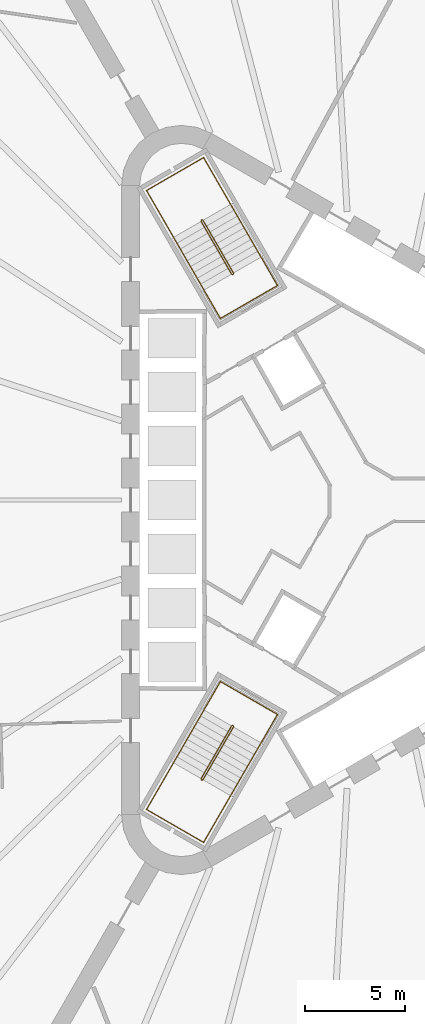
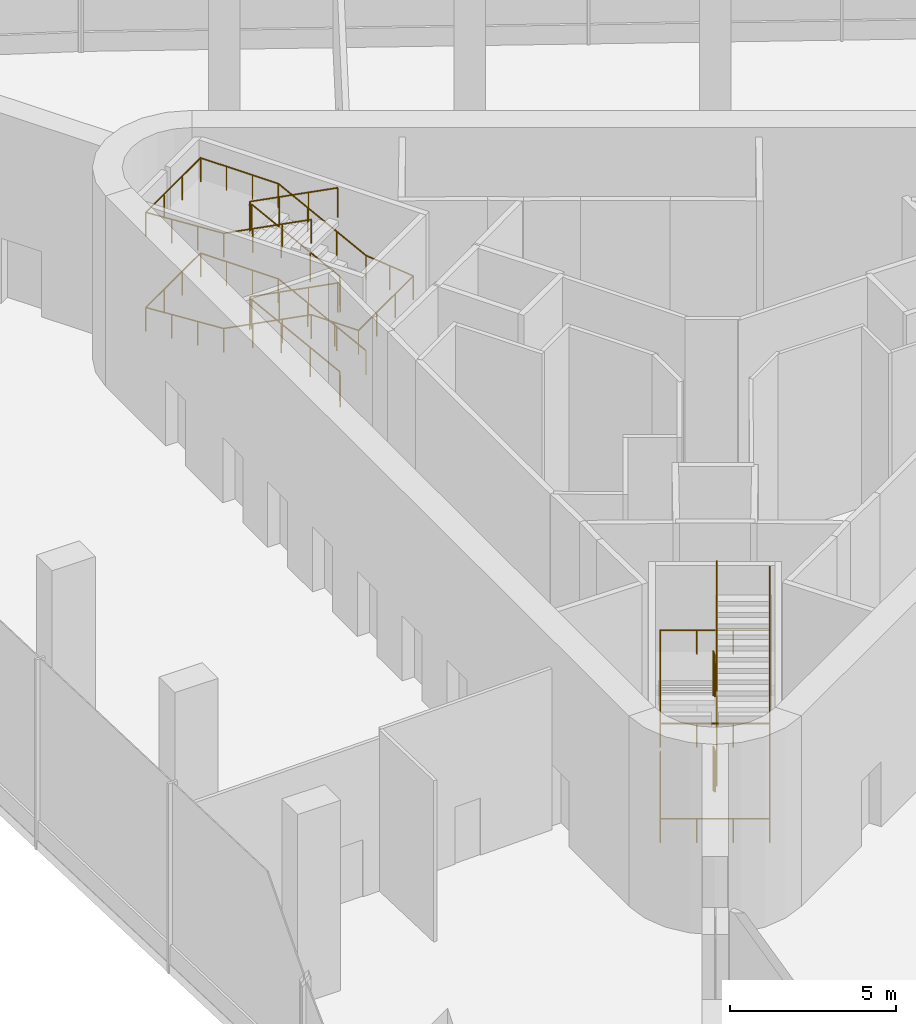
# One storey, part 13 of 15: 4 railings.
"""IFC4 building model written with IfcOpenShell, lengths in metres."""

from ifc_helpers import new_model, si_unit, direction, frame, origin, origin_2d, place, context, subcontext, project, spatial, circle, extrude, material, type_object, element, save


model = new_model("IFC4")

# Units and contexts
model_context = context("Model", 3, precision=1e-05, world=origin(), true_north=direction((0.0, 1.0)))
body_context = subcontext(model_context, "Body", "Model", "MODEL_VIEW")
ifc_project = project(units=[si_unit("LENGTHUNIT", "METRE"), si_unit("AREAUNIT", "SQUARE_METRE"), si_unit("VOLUMEUNIT", "CUBIC_METRE"), si_unit("PLANEANGLEUNIT", "RADIAN"), si_unit("MASSUNIT", "GRAM", prefix="KILO")], contexts=[model_context])

# Site, building, storey
site_placement = place(None, origin())
site = spatial("IfcSite", under=ifc_project, at=site_placement, CompositionType="ELEMENT")
building_placement = place(site_placement, origin())
building = spatial("IfcBuilding", under=site, at=building_placement, Name="Tanit Gate Tower", CompositionType="ELEMENT")
storey_placement = place(building_placement, frame((0.0, 0.0, 156.199951171875)))
storey = spatial("IfcBuildingStorey", under=building, at=storey_placement, Name="L34", CompositionType="ELEMENT", Elevation=156.199951171875)

# Railings
ifc_material_1 = material(Name="Stainless steel balustrade", Category="steel")
railing_type_1 = type_object("IfcRailingType", Name="INT-STAIR-GUARD", PredefinedType="GUARDRAIL", material=ifc_material_1)
railing_1_placement = place(storey_placement, frame((-6.527099609375, 11.29345703125, 0.0)))
element("IfcRailing", 1, at=railing_1_placement, inside=storey, type_object=railing_type_1, Name="L34 S2 stair guard 1", PredefinedType="GUARDRAIL", context=body_context, shape_type="SweptSolid", body=[
    extrude(circle(Radius=0.02392578125, at=origin_2d()), frame((0.0, 0.0, 1.076171875), z_axis=(0.868243142124, 0.496138938357, 0.0), x_axis=(-0.496138938357, 0.868243142124, 0.0)), (0.0, 0.0, 1.0), 0.01171875),
    extrude(circle(Radius=0.02392578125, at=origin_2d()), frame((0.01025390625, 0.005859375, 1.076171875), z_axis=(0.096977119323, 0.362047912139, 0.927101260728), x_axis=(-0.965948051503, 0.258736085224, 0.0)), (0.0, 0.0, 1.0), 0.188720703125),
    extrude(circle(Radius=0.02392578125, at=origin_2d()), frame((0.028564453125, 0.07421875, 1.2509765625), z_axis=(-0.444260359565, 0.769434755653, 0.458914904652), x_axis=(-0.866012246495, -0.500022788402, 0.0)), (0.0, 0.0, 1.0), 3.431884765625),
    extrude(circle(Radius=0.02392578125, at=origin_2d()), frame((-1.49609375, 2.71484375, 2.826171875), z_axis=(-0.965715946433, 0.259601060869, 0.0), x_axis=(-0.259601060869, -0.965715946433, 0.0)), (0.0, 0.0, 1.0), 0.070556640625),
    extrude(circle(Radius=0.02392578125, at=origin_2d()), frame((-1.564208984375, 2.733154296875, 2.826171875), z_axis=(-0.873197702015, -0.487366159264, 0.0), x_axis=(0.487366159264, -0.873197702015, 0.0)), (0.0, 0.0, 1.0), 0.011962890625),
    extrude(circle(Radius=0.02392578125, at=origin_2d()), frame((-1.57470703125, 2.727294921875, 2.826171875), z_axis=(-0.096977119323, -0.362047912139, 0.927101260728), x_axis=(0.965948051503, -0.258736085224, 0.0)), (0.0, 0.0, 1.0), 0.188720703125),
    extrude(circle(Radius=0.02392578125, at=origin_2d()), frame((-1.593017578125, 2.658935546875, 3.0009765625), z_axis=(0.444260359565, -0.769434755653, 0.458914904652), x_axis=(0.866012246495, 0.500022788402, 0.0)), (0.0, 0.0, 1.0), 3.431884765625),
    extrude(circle(Radius=0.02392578125, at=origin_2d()), frame((-0.068359375, 0.018310546875, 4.576171875), z_axis=(0.965948051503, -0.258736085224, 0.0), x_axis=(0.258736085224, 0.965948051503, 0.0)), (0.0, 0.0, 1.0), 0.07080078125),
    extrude(circle(Radius=0.02392578125, at=origin_2d()), frame((0.0, 0.0, 4.576171875), z_axis=(0.868243142124, 0.496138938357, 0.0), x_axis=(-0.496138938357, 0.868243142124, 0.0)), (0.0, 0.0, 1.0), 0.01171875),
    extrude(circle(Radius=0.02392578125, at=origin_2d()), frame((0.01025390625, 0.005859375, 4.576171875), z_axis=(0.096977119323, 0.362047912139, 0.927101260728), x_axis=(-0.965948051503, 0.258736085224, 0.0)), (0.0, 0.0, 1.0), 0.188720703125),
    extrude(circle(Radius=0.02392578125, at=origin_2d()), frame((0.028564453125, 0.07421875, 4.7509765625), z_axis=(-0.444260359565, 0.769434755653, 0.458914904652), x_axis=(-0.866012246495, -0.500022788402, 0.0)), (0.0, 0.0, 1.0), 3.431884765625),
    extrude(circle(Radius=0.02392578125, at=origin_2d()), frame((-1.49609375, 2.71484375, 6.326171875), z_axis=(-0.965715946433, 0.259601060869, 0.0), x_axis=(-0.259601060869, -0.965715946433, 0.0)), (0.0, 0.0, 1.0), 0.070556640625),
    extrude(circle(Radius=0.02392578125, at=origin_2d()), frame((-1.564208984375, 2.733154296875, 6.326171875), z_axis=(-0.873197702015, -0.487366159264, 0.0), x_axis=(0.487366159264, -0.873197702015, 0.0)), (0.0, 0.0, 1.0), 0.011962890625),
    extrude(circle(Radius=0.02392578125, at=origin_2d()), frame((-1.57470703125, 2.727294921875, 6.326171875), z_axis=(-0.096977119323, -0.362047912139, 0.927101260728), x_axis=(0.965948051503, -0.258736085224, 0.0)), (0.0, 0.0, 1.0), 0.188720703125),
    extrude(circle(Radius=0.02392578125, at=origin_2d()), frame((-1.593017578125, 2.658935546875, 6.5009765625), z_axis=(0.444260359565, -0.769434755653, 0.458914904652), x_axis=(0.866012246495, 0.500022788402, 0.0)), (0.0, 0.0, 1.0), 3.431884765625),
    extrude(circle(Radius=0.02099609375, at=origin_2d()), origin(), (0.0, 0.0, 1.0), 1.052001953125),
    extrude(circle(Radius=0.02099609375, at=origin_2d()), frame((0.01025390625, 0.005859375, 0.0)), (0.0, 0.0, 1.0), 1.052001953125),
    extrude(circle(Radius=0.02099609375, at=origin_2d()), frame((0.028564453125, 0.07421875, 0.175048828125)), (0.0, 0.0, 1.0), 1.052001953125),
    extrude(circle(Radius=0.02099609375, at=origin_2d()), frame((-0.479736328125, 0.954345703125, 0.699951171875)), (0.0, 0.0, 1.0), 1.052001953125),
    extrude(circle(Radius=0.02099609375, at=origin_2d()), frame((-0.98779296875, 1.834716796875, 1.22509765625)), (0.0, 0.0, 1.0), 1.052001953125),
    extrude(circle(Radius=0.02099609375, at=origin_2d()), frame((-1.49609375, 2.71484375, 1.75)), (0.0, 0.0, 1.0), 1.052001953125),
    extrude(circle(Radius=0.02099609375, at=origin_2d()), frame((-1.564208984375, 2.733154296875, 1.75)), (0.0, 0.0, 1.0), 1.052001953125),
    extrude(circle(Radius=0.02099609375, at=origin_2d()), frame((-1.57470703125, 2.727294921875, 1.75)), (0.0, 0.0, 1.0), 1.052001953125),
    extrude(circle(Radius=0.02099609375, at=origin_2d()), frame((-1.593017578125, 2.658935546875, 1.925048828125)), (0.0, 0.0, 1.0), 1.052001953125),
    extrude(circle(Radius=0.02099609375, at=origin_2d()), frame((-1.084716796875, 1.77880859375, 2.449951171875)), (0.0, 0.0, 1.0), 1.052001953125),
    extrude(circle(Radius=0.02099609375, at=origin_2d()), frame((-0.57666015625, 0.8984375, 2.97509765625)), (0.0, 0.0, 1.0), 1.052001953125),
    extrude(circle(Radius=0.02099609375, at=origin_2d()), frame((-0.068359375, 0.018310546875, 3.5)), (0.0, 0.0, 1.0), 1.052001953125),
    extrude(circle(Radius=0.02099609375, at=origin_2d()), frame((0.0, 0.0, 3.5)), (0.0, 0.0, 1.0), 1.052001953125),
    extrude(circle(Radius=0.02099609375, at=origin_2d()), frame((0.01025390625, 0.005859375, 3.5)), (0.0, 0.0, 1.0), 1.052001953125),
    extrude(circle(Radius=0.02099609375, at=origin_2d()), frame((0.028564453125, 0.07421875, 3.675048828125)), (0.0, 0.0, 1.0), 1.052001953125),
    extrude(circle(Radius=0.02099609375, at=origin_2d()), frame((-0.479736328125, 0.954345703125, 4.199951171875)), (0.0, 0.0, 1.0), 1.052001953125),
    extrude(circle(Radius=0.02099609375, at=origin_2d()), frame((-0.98779296875, 1.834716796875, 4.72509765625)), (0.0, 0.0, 1.0), 1.052001953125),
    extrude(circle(Radius=0.02099609375, at=origin_2d()), frame((-1.49609375, 2.71484375, 5.25)), (0.0, 0.0, 1.0), 1.052001953125),
    extrude(circle(Radius=0.02099609375, at=origin_2d()), frame((-1.564208984375, 2.733154296875, 5.25)), (0.0, 0.0, 1.0), 1.052001953125),
    extrude(circle(Radius=0.02099609375, at=origin_2d()), frame((-1.57470703125, 2.727294921875, 5.25)), (0.0, 0.0, 1.0), 1.052001953125),
    extrude(circle(Radius=0.02099609375, at=origin_2d()), frame((-1.593017578125, 2.658935546875, 5.425048828125)), (0.0, 0.0, 1.0), 1.052001953125),
    extrude(circle(Radius=0.02099609375, at=origin_2d()), frame((-1.084716796875, 1.77880859375, 5.949951171875)), (0.0, 0.0, 1.0), 1.052001953125),
    extrude(circle(Radius=0.02099609375, at=origin_2d()), frame((-0.57666015625, 0.8984375, 6.47509765625)), (0.0, 0.0, 1.0), 1.052001953125),
    extrude(circle(Radius=0.02099609375, at=origin_2d()), frame((-0.068359375, 0.018310546875, 7.0)), (0.0, 0.0, 1.0), 1.052001953125),
])
railing_2_placement = place(storey_placement, frame((-6.51806640625, -11.2998046875, 0.0)))
element("IfcRailing", 2, at=railing_2_placement, inside=storey, type_object=railing_type_1, Name="L34 S3 stair guard 1", PredefinedType="GUARDRAIL", context=body_context, shape_type="SweptSolid", body=[
    extrude(circle(Radius=0.02392578125, at=origin_2d()), frame((0.0, 0.0, 1.076171875), z_axis=(-0.874157276122, 0.485642931179, 0.0), x_axis=(-0.485642931179, -0.874157276122, 0.0)), (0.0, 0.0, 1.0), 0.010009765625),
    extrude(circle(Radius=0.02392578125, at=origin_2d()), frame((-0.0087890625, 0.0048828125, 1.076171875), z_axis=(-0.362093016601, -0.09569601153, 0.927216760367), x_axis=(0.255512919477, -0.966805641264, 0.0)), (0.0, 0.0, 1.0), 0.188720703125),
    extrude(circle(Radius=0.02392578125, at=origin_2d()), frame((-0.0771484375, -0.01318359375, 1.2509765625), z_axis=(-0.444261418283, -0.769564873572, 0.458695648103), x_axis=(0.866048339477, -0.499960272111, 0.0)), (0.0, 0.0, 1.0), 3.43359375),
    extrude(circle(Radius=0.02392578125, at=origin_2d()), frame((-1.6025390625, -2.655517578125, 2.826171875), z_axis=(0.258736085224, -0.965948051503, 0.0), x_axis=(0.965948051503, 0.258736085224, 0.0)), (0.0, 0.0, 1.0), 0.07080078125),
    extrude(circle(Radius=0.02392578125, at=origin_2d()), frame((-1.584228515625, -2.723876953125, 2.826171875), z_axis=(0.868243142124, -0.496138938357, 0.0), x_axis=(0.496138938357, 0.868243142124, 0.0)), (0.0, 0.0, 1.0), 0.009765625),
    extrude(circle(Radius=0.02392578125, at=origin_2d()), frame((-1.57568359375, -2.728759765625, 2.826171875), z_axis=(0.362047912139, 0.096977119323, 0.927101260728), x_axis=(-0.258736085224, 0.965948051503, 0.0)), (0.0, 0.0, 1.0), 0.188720703125),
    extrude(circle(Radius=0.02392578125, at=origin_2d()), frame((-1.50732421875, -2.71044921875, 3.0009765625), z_axis=(0.444342798636, 0.769511564545, 0.458706256041), x_axis=(-0.865993683553, 0.500054937028, 0.0)), (0.0, 0.0, 1.0), 3.433349609375),
    extrude(circle(Radius=0.02392578125, at=origin_2d()), frame((0.018310546875, -0.068359375, 4.576171875), z_axis=(-0.258736085224, 0.965948051503, 0.0), x_axis=(-0.965948051503, -0.258736085224, 0.0)), (0.0, 0.0, 1.0), 0.07080078125),
    extrude(circle(Radius=0.02392578125, at=origin_2d()), frame((0.0, 0.0, 4.576171875), z_axis=(-0.874157276122, 0.485642931179, 0.0), x_axis=(-0.485642931179, -0.874157276122, 0.0)), (0.0, 0.0, 1.0), 0.010009765625),
    extrude(circle(Radius=0.02392578125, at=origin_2d()), frame((-0.0087890625, 0.0048828125, 4.576171875), z_axis=(-0.362093016601, -0.09569601153, 0.927216760367), x_axis=(0.255512919477, -0.966805641264, 0.0)), (0.0, 0.0, 1.0), 0.188720703125),
    extrude(circle(Radius=0.02392578125, at=origin_2d()), frame((-0.0771484375, -0.01318359375, 4.7509765625), z_axis=(-0.444261418283, -0.769564873572, 0.458695648103), x_axis=(0.866048339477, -0.499960272111, 0.0)), (0.0, 0.0, 1.0), 3.43359375),
    extrude(circle(Radius=0.02392578125, at=origin_2d()), frame((-1.6025390625, -2.655517578125, 6.326171875), z_axis=(0.258736085224, -0.965948051503, 0.0), x_axis=(0.965948051503, 0.258736085224, 0.0)), (0.0, 0.0, 1.0), 0.07080078125),
    extrude(circle(Radius=0.02392578125, at=origin_2d()), frame((-1.584228515625, -2.723876953125, 6.326171875), z_axis=(0.868243142124, -0.496138938357, 0.0), x_axis=(0.496138938357, 0.868243142124, 0.0)), (0.0, 0.0, 1.0), 0.009765625),
    extrude(circle(Radius=0.02392578125, at=origin_2d()), frame((-1.57568359375, -2.728759765625, 6.326171875), z_axis=(0.362047912139, 0.096977119323, 0.927101260728), x_axis=(-0.258736085224, 0.965948051503, 0.0)), (0.0, 0.0, 1.0), 0.188720703125),
    extrude(circle(Radius=0.02392578125, at=origin_2d()), frame((-1.50732421875, -2.71044921875, 6.5009765625), z_axis=(0.444342798636, 0.769511564545, 0.458706256041), x_axis=(-0.865993683553, 0.500054937028, 0.0)), (0.0, 0.0, 1.0), 3.433349609375),
    extrude(circle(Radius=0.02099609375, at=origin_2d()), origin(), (0.0, 0.0, 1.0), 1.052001953125),
    extrude(circle(Radius=0.02099609375, at=origin_2d()), frame((-0.0087890625, 0.0048828125, 0.0)), (0.0, 0.0, 1.0), 1.052001953125),
    extrude(circle(Radius=0.02099609375, at=origin_2d()), frame((-0.0771484375, -0.01318359375, 0.175048828125)), (0.0, 0.0, 1.0), 1.052001953125),
    extrude(circle(Radius=0.02099609375, at=origin_2d()), frame((-0.585693359375, -0.89404296875, 0.699951171875)), (0.0, 0.0, 1.0), 1.052001953125),
    extrude(circle(Radius=0.02099609375, at=origin_2d()), frame((-1.093994140625, -1.774658203125, 1.22509765625)), (0.0, 0.0, 1.0), 1.052001953125),
    extrude(circle(Radius=0.02099609375, at=origin_2d()), frame((-1.6025390625, -2.655517578125, 1.75)), (0.0, 0.0, 1.0), 1.052001953125),
    extrude(circle(Radius=0.02099609375, at=origin_2d()), frame((-1.584228515625, -2.723876953125, 1.75)), (0.0, 0.0, 1.0), 1.052001953125),
    extrude(circle(Radius=0.02099609375, at=origin_2d()), frame((-1.57568359375, -2.728759765625, 1.75)), (0.0, 0.0, 1.0), 1.052001953125),
    extrude(circle(Radius=0.02099609375, at=origin_2d()), frame((-1.50732421875, -2.71044921875, 1.925048828125)), (0.0, 0.0, 1.0), 1.052001953125),
    extrude(circle(Radius=0.02099609375, at=origin_2d()), frame((-0.998779296875, -1.829833984375, 2.449951171875)), (0.0, 0.0, 1.0), 1.052001953125),
    extrude(circle(Radius=0.02099609375, at=origin_2d()), frame((-0.490234375, -0.948974609375, 2.97509765625)), (0.0, 0.0, 1.0), 1.052001953125),
    extrude(circle(Radius=0.02099609375, at=origin_2d()), frame((0.018310546875, -0.068359375, 3.5)), (0.0, 0.0, 1.0), 1.052001953125),
    extrude(circle(Radius=0.02099609375, at=origin_2d()), frame((0.0, 0.0, 3.5)), (0.0, 0.0, 1.0), 1.052001953125),
    extrude(circle(Radius=0.02099609375, at=origin_2d()), frame((-0.0087890625, 0.0048828125, 3.5)), (0.0, 0.0, 1.0), 1.052001953125),
    extrude(circle(Radius=0.02099609375, at=origin_2d()), frame((-0.0771484375, -0.01318359375, 3.675048828125)), (0.0, 0.0, 1.0), 1.052001953125),
    extrude(circle(Radius=0.02099609375, at=origin_2d()), frame((-0.585693359375, -0.89404296875, 4.199951171875)), (0.0, 0.0, 1.0), 1.052001953125),
    extrude(circle(Radius=0.02099609375, at=origin_2d()), frame((-1.093994140625, -1.774658203125, 4.72509765625)), (0.0, 0.0, 1.0), 1.052001953125),
    extrude(circle(Radius=0.02099609375, at=origin_2d()), frame((-1.6025390625, -2.655517578125, 5.25)), (0.0, 0.0, 1.0), 1.052001953125),
    extrude(circle(Radius=0.02099609375, at=origin_2d()), frame((-1.584228515625, -2.723876953125, 5.25)), (0.0, 0.0, 1.0), 1.052001953125),
    extrude(circle(Radius=0.02099609375, at=origin_2d()), frame((-1.57568359375, -2.728759765625, 5.25)), (0.0, 0.0, 1.0), 1.052001953125),
    extrude(circle(Radius=0.02099609375, at=origin_2d()), frame((-1.50732421875, -2.71044921875, 5.425048828125)), (0.0, 0.0, 1.0), 1.052001953125),
    extrude(circle(Radius=0.02099609375, at=origin_2d()), frame((-0.998779296875, -1.829833984375, 5.949951171875)), (0.0, 0.0, 1.0), 1.052001953125),
    extrude(circle(Radius=0.02099609375, at=origin_2d()), frame((-0.490234375, -0.948974609375, 6.47509765625)), (0.0, 0.0, 1.0), 1.052001953125),
    extrude(circle(Radius=0.02099609375, at=origin_2d()), frame((0.018310546875, -0.068359375, 7.0)), (0.0, 0.0, 1.0), 1.052001953125),
])
ifc_material_2 = material(Name="Stainless steel handrail", Category="steel")
railing_type_2 = type_object("IfcRailingType", Name="INT-STAIR-HANDRAIL", PredefinedType="HANDRAIL", material=ifc_material_2)
railing_3_placement = place(storey_placement, frame((-5.1181640625, 12.164794921875, 0.175048828125)))
element("IfcRailing", 3, at=railing_3_placement, inside=storey, type_object=railing_type_2, Name="L34 S2 stair handrail 1", PredefinedType="HANDRAIL", context=body_context, shape_type="SweptSolid", body=[
    extrude(circle(Radius=0.02392578125, at=origin_2d()), frame((0.0, 0.0, 0.8759765625), z_axis=(-0.444203258715, 0.76945907211, 0.458929407746), x_axis=(-0.866046917185, -0.499962735845, 0.0)), (0.0, 0.0, 1.0), 3.431884765625),
    extrude(circle(Radius=0.02392578125, at=origin_2d()), frame((-1.5244140625, 2.640625, 2.45068359375), z_axis=(-0.500019123664, 0.86601436245, 0.0), x_axis=(-0.86601436245, -0.500019123664, 0.0)), (0.0, 0.0, 1.0), 2.70703125),
    extrude(circle(Radius=0.02392578125, at=origin_2d()), frame((-2.8779296875, 4.98486328125, 2.45068359375), z_axis=(-0.866008176907, -0.50002983664, 0.0), x_axis=(0.50002983664, -0.866008176907, 0.0)), (0.0, 0.0, 1.0), 3.300048828125),
    extrude(circle(Radius=0.02392578125, at=origin_2d()), frame((-5.73583984375, 3.334716796875, 2.45068359375), z_axis=(0.499015710579, -0.864186478584, 0.064537204994), x_axis=(0.865991810323, 0.500058181068, 0.0)), (0.0, 0.0, 1.0), 2.71240234375),
    extrude(circle(Radius=0.02392578125, at=origin_2d()), frame((-4.38232421875, 0.99072265625, 2.6259765625), z_axis=(0.444236043186, -0.769463775683, 0.458889786164), x_axis=(0.866032263162, 0.499988119021, 0.0)), (0.0, 0.0, 1.0), 3.43212890625),
    extrude(circle(Radius=0.02392578125, at=origin_2d()), frame((-2.857666015625, -1.650146484375, 4.20068359375), z_axis=(0.499941024108, -0.866059450854, 0.0), x_axis=(0.866059450854, 0.499941024108, 0.0)), (0.0, 0.0, 1.0), 1.643798828125),
    extrude(circle(Radius=0.02392578125, at=origin_2d()), frame((-2.035888671875, -3.07373046875, 4.20068359375), z_axis=(0.866040211805, 0.499974350878, 0.0), x_axis=(-0.499974350878, 0.866040211805, 0.0)), (0.0, 0.0, 1.0), 3.300048828125),
    extrude(circle(Radius=0.02392578125, at=origin_2d()), frame((0.822021484375, -1.423828125, 4.20068359375), z_axis=(-0.497177970467, 0.861164812523, 0.105873657507), x_axis=(-0.866032269107, -0.499988108725, 0.0)), (0.0, 0.0, 1.0), 1.6533203125),
    extrude(circle(Radius=0.02392578125, at=origin_2d()), frame((0.0, 0.0, 4.3759765625), z_axis=(-0.444203258715, 0.76945907211, 0.458929407746), x_axis=(-0.866046917185, -0.499962735845, 0.0)), (0.0, 0.0, 1.0), 3.431884765625),
    extrude(circle(Radius=0.02392578125, at=origin_2d()), frame((-1.5244140625, 2.640625, 5.95068359375), z_axis=(-0.500019123664, 0.86601436245, 0.0), x_axis=(-0.86601436245, -0.500019123664, 0.0)), (0.0, 0.0, 1.0), 2.70703125),
    extrude(circle(Radius=0.02392578125, at=origin_2d()), frame((-2.8779296875, 4.98486328125, 5.95068359375), z_axis=(-0.866008176907, -0.50002983664, 0.0), x_axis=(0.50002983664, -0.866008176907, 0.0)), (0.0, 0.0, 1.0), 3.300048828125),
    extrude(circle(Radius=0.02392578125, at=origin_2d()), frame((-5.73583984375, 3.334716796875, 5.95068359375), z_axis=(0.499015710579, -0.864186478584, 0.064537204994), x_axis=(0.865991810323, 0.500058181068, 0.0)), (0.0, 0.0, 1.0), 2.71240234375),
    extrude(circle(Radius=0.02392578125, at=origin_2d()), frame((-4.38232421875, 0.99072265625, 6.1259765625), z_axis=(0.444236043186, -0.769463775683, 0.458889786164), x_axis=(0.866032263162, 0.499988119021, 0.0)), (0.0, 0.0, 1.0), 3.43212890625),
    extrude(circle(Radius=0.02099609375, at=origin_2d()), origin(), (0.0, 0.0, 1.0), 0.851806640625),
    extrude(circle(Radius=0.02099609375, at=origin_2d()), frame((-0.508056640625, 0.880126953125, 0.52490234375)), (0.0, 0.0, 1.0), 0.851806640625),
    extrude(circle(Radius=0.02099609375, at=origin_2d()), frame((-1.016357421875, 1.760498046875, 1.050048828125)), (0.0, 0.0, 1.0), 0.851806640625),
    extrude(circle(Radius=0.02099609375, at=origin_2d()), frame((-1.5244140625, 2.640625, 1.574951171875)), (0.0, 0.0, 1.0), 0.851806640625),
    extrude(circle(Radius=0.02099609375, at=origin_2d()), frame((-1.9755859375, 3.422119140625, 1.574951171875)), (0.0, 0.0, 1.0), 0.851806640625),
    extrude(circle(Radius=0.02099609375, at=origin_2d()), frame((-2.4267578125, 4.203369140625, 1.574951171875)), (0.0, 0.0, 1.0), 0.851806640625),
    extrude(circle(Radius=0.02099609375, at=origin_2d()), frame((-2.8779296875, 4.98486328125, 1.574951171875)), (0.0, 0.0, 1.0), 0.851806640625),
    extrude(circle(Radius=0.02099609375, at=origin_2d()), frame((-3.83056640625, 4.434814453125, 1.574951171875)), (0.0, 0.0, 1.0), 0.851806640625),
    extrude(circle(Radius=0.02099609375, at=origin_2d()), frame((-4.783203125, 3.884765625, 1.574951171875)), (0.0, 0.0, 1.0), 0.851806640625),
    extrude(circle(Radius=0.02099609375, at=origin_2d()), frame((-5.73583984375, 3.334716796875, 1.574951171875)), (0.0, 0.0, 1.0), 0.851806640625),
    extrude(circle(Radius=0.02099609375, at=origin_2d()), frame((-5.28466796875, 2.553466796875, 1.63330078125)), (0.0, 0.0, 1.0), 0.851806640625),
    extrude(circle(Radius=0.02099609375, at=origin_2d()), frame((-4.83349609375, 1.77197265625, 1.691650390625)), (0.0, 0.0, 1.0), 0.851806640625),
    extrude(circle(Radius=0.02099609375, at=origin_2d()), frame((-4.38232421875, 0.99072265625, 1.75)), (0.0, 0.0, 1.0), 0.851806640625),
    extrude(circle(Radius=0.02099609375, at=origin_2d()), frame((-3.8740234375, 0.1103515625, 2.27490234375)), (0.0, 0.0, 1.0), 0.851806640625),
    extrude(circle(Radius=0.02099609375, at=origin_2d()), frame((-3.365966796875, -0.769775390625, 2.800048828125)), (0.0, 0.0, 1.0), 0.851806640625),
    extrude(circle(Radius=0.02099609375, at=origin_2d()), frame((-2.857666015625, -1.650146484375, 3.324951171875)), (0.0, 0.0, 1.0), 0.851806640625),
    extrude(circle(Radius=0.02099609375, at=origin_2d()), frame((-2.44677734375, -2.36181640625, 3.324951171875)), (0.0, 0.0, 1.0), 0.851806640625),
    extrude(circle(Radius=0.02099609375, at=origin_2d()), frame((-2.035888671875, -3.07373046875, 3.324951171875)), (0.0, 0.0, 1.0), 0.851806640625),
    extrude(circle(Radius=0.02099609375, at=origin_2d()), frame((-1.083251953125, -2.523681640625, 3.324951171875)), (0.0, 0.0, 1.0), 0.851806640625),
    extrude(circle(Radius=0.02099609375, at=origin_2d()), frame((-0.130615234375, -1.973876953125, 3.324951171875)), (0.0, 0.0, 1.0), 0.851806640625),
    extrude(circle(Radius=0.02099609375, at=origin_2d()), frame((0.822021484375, -1.423828125, 3.324951171875)), (0.0, 0.0, 1.0), 0.851806640625),
    extrude(circle(Radius=0.02099609375, at=origin_2d()), frame((0.4111328125, -0.7119140625, 3.41259765625)), (0.0, 0.0, 1.0), 0.851806640625),
    extrude(circle(Radius=0.02099609375, at=origin_2d()), frame((0.0, 0.0, 3.5)), (0.0, 0.0, 1.0), 0.851806640625),
    extrude(circle(Radius=0.02099609375, at=origin_2d()), frame((-0.508056640625, 0.880126953125, 4.02490234375)), (0.0, 0.0, 1.0), 0.851806640625),
    extrude(circle(Radius=0.02099609375, at=origin_2d()), frame((-1.016357421875, 1.760498046875, 4.550048828125)), (0.0, 0.0, 1.0), 0.851806640625),
    extrude(circle(Radius=0.02099609375, at=origin_2d()), frame((-1.5244140625, 2.640625, 5.074951171875)), (0.0, 0.0, 1.0), 0.851806640625),
    extrude(circle(Radius=0.02099609375, at=origin_2d()), frame((-1.9755859375, 3.422119140625, 5.074951171875)), (0.0, 0.0, 1.0), 0.851806640625),
    extrude(circle(Radius=0.02099609375, at=origin_2d()), frame((-2.4267578125, 4.203369140625, 5.074951171875)), (0.0, 0.0, 1.0), 0.851806640625),
    extrude(circle(Radius=0.02099609375, at=origin_2d()), frame((-2.8779296875, 4.98486328125, 5.074951171875)), (0.0, 0.0, 1.0), 0.851806640625),
    extrude(circle(Radius=0.02099609375, at=origin_2d()), frame((-3.83056640625, 4.434814453125, 5.074951171875)), (0.0, 0.0, 1.0), 0.851806640625),
    extrude(circle(Radius=0.02099609375, at=origin_2d()), frame((-4.783203125, 3.884765625, 5.074951171875)), (0.0, 0.0, 1.0), 0.851806640625),
    extrude(circle(Radius=0.02099609375, at=origin_2d()), frame((-5.73583984375, 3.334716796875, 5.074951171875)), (0.0, 0.0, 1.0), 0.851806640625),
    extrude(circle(Radius=0.02099609375, at=origin_2d()), frame((-5.28466796875, 2.553466796875, 5.13330078125)), (0.0, 0.0, 1.0), 0.851806640625),
    extrude(circle(Radius=0.02099609375, at=origin_2d()), frame((-4.83349609375, 1.77197265625, 5.191650390625)), (0.0, 0.0, 1.0), 0.851806640625),
    extrude(circle(Radius=0.02099609375, at=origin_2d()), frame((-4.38232421875, 0.99072265625, 5.25)), (0.0, 0.0, 1.0), 0.851806640625),
    extrude(circle(Radius=0.02099609375, at=origin_2d()), frame((-3.8740234375, 0.1103515625, 5.77490234375)), (0.0, 0.0, 1.0), 0.851806640625),
    extrude(circle(Radius=0.02099609375, at=origin_2d()), frame((-3.365966796875, -0.769775390625, 6.300048828125)), (0.0, 0.0, 1.0), 0.851806640625),
    extrude(circle(Radius=0.02099609375, at=origin_2d()), frame((-2.857666015625, -1.650146484375, 6.824951171875)), (0.0, 0.0, 1.0), 0.851806640625),
])
railing_4_placement = place(storey_placement, frame((-7.9765625, -10.515625, 0.175048828125)))
element("IfcRailing", 4, at=railing_4_placement, inside=storey, type_object=railing_type_2, Name="L34 S3 stair handrail 1", PredefinedType="HANDRAIL", context=body_context, shape_type="SweptSolid", body=[
    extrude(circle(Radius=0.02392578125, at=origin_2d()), frame((0.0, 0.0, 0.8759765625), z_axis=(-0.444261418283, -0.769564873572, 0.458695648103), x_axis=(0.866048339477, -0.499960272111, 0.0)), (0.0, 0.0, 1.0), 3.43359375),
    extrude(circle(Radius=0.02392578125, at=origin_2d()), frame((-1.525390625, -2.642333984375, 2.45068359375), z_axis=(-0.50004290449, -0.866000631449, 0.0), x_axis=(0.866000631449, -0.50004290449, 0.0)), (0.0, 0.0, 1.0), 2.703857421875),
    extrude(circle(Radius=0.02392578125, at=origin_2d()), frame((-2.87744140625, -4.98388671875, 2.45068359375), z_axis=(0.866008176907, -0.50002983664, 0.0), x_axis=(0.50002983664, 0.866008176907, 0.0)), (0.0, 0.0, 1.0), 3.300048828125),
    extrude(circle(Radius=0.02392578125, at=origin_2d()), frame((-0.01953125, -6.634033203125, 2.45068359375), z_axis=(0.498959423304, 0.864214299084, 0.064599838662), x_axis=(-0.866023205937, 0.500003806764, 0.0)), (0.0, 0.0, 1.0), 2.709716796875),
    extrude(circle(Radius=0.02392578125, at=origin_2d()), frame((1.33251953125, -4.292236328125, 2.6259765625), z_axis=(0.444261418283, 0.769564873572, 0.458695648103), x_axis=(-0.866048339477, 0.499960272111, 0.0)), (0.0, 0.0, 1.0), 3.43359375),
    extrude(circle(Radius=0.02392578125, at=origin_2d()), frame((2.85791015625, -1.64990234375, 4.20068359375), z_axis=(0.50001794124, 0.866015045157, 0.0), x_axis=(-0.866015045157, 0.50001794124, 0.0)), (0.0, 0.0, 1.0), 1.64501953125),
    extrude(circle(Radius=0.02392578125, at=origin_2d()), frame((3.680419921875, -0.225341796875, 4.20068359375), z_axis=(-0.866040211805, 0.499974350878, 0.0), x_axis=(-0.499974350878, -0.866040211805, 0.0)), (0.0, 0.0, 1.0), 3.300048828125),
    extrude(circle(Radius=0.02392578125, at=origin_2d()), frame((0.822509765625, 1.424560546875, 4.20068359375), z_axis=(-0.497210610788, -0.86115283881, 0.10581775243), x_axis=(0.866015045157, -0.50001794124, 0.0)), (0.0, 0.0, 1.0), 1.654296875),
    extrude(circle(Radius=0.02392578125, at=origin_2d()), frame((0.0, 0.0, 4.3759765625), z_axis=(-0.444261418283, -0.769564873572, 0.458695648103), x_axis=(0.866048339477, -0.499960272111, 0.0)), (0.0, 0.0, 1.0), 3.43359375),
    extrude(circle(Radius=0.02392578125, at=origin_2d()), frame((-1.525390625, -2.642333984375, 5.95068359375), z_axis=(-0.50004290449, -0.866000631449, 0.0), x_axis=(0.866000631449, -0.50004290449, 0.0)), (0.0, 0.0, 1.0), 2.703857421875),
    extrude(circle(Radius=0.02392578125, at=origin_2d()), frame((-2.87744140625, -4.98388671875, 5.95068359375), z_axis=(0.866008176907, -0.50002983664, 0.0), x_axis=(0.50002983664, 0.866008176907, 0.0)), (0.0, 0.0, 1.0), 3.300048828125),
    extrude(circle(Radius=0.02392578125, at=origin_2d()), frame((-0.01953125, -6.634033203125, 5.95068359375), z_axis=(0.498959423304, 0.864214299084, 0.064599838662), x_axis=(-0.866023205937, 0.500003806764, 0.0)), (0.0, 0.0, 1.0), 2.709716796875),
    extrude(circle(Radius=0.02392578125, at=origin_2d()), frame((1.33251953125, -4.292236328125, 6.1259765625), z_axis=(0.444261418283, 0.769564873572, 0.458695648103), x_axis=(-0.866048339477, 0.499960272111, 0.0)), (0.0, 0.0, 1.0), 3.43359375),
    extrude(circle(Radius=0.02099609375, at=origin_2d()), origin(), (0.0, 0.0, 1.0), 0.851806640625),
    extrude(circle(Radius=0.02099609375, at=origin_2d()), frame((-0.508544921875, -0.880859375, 0.52490234375)), (0.0, 0.0, 1.0), 0.851806640625),
    extrude(circle(Radius=0.02099609375, at=origin_2d()), frame((-1.016845703125, -1.761474609375, 1.050048828125)), (0.0, 0.0, 1.0), 0.851806640625),
    extrude(circle(Radius=0.02099609375, at=origin_2d()), frame((-1.525390625, -2.642333984375, 1.574951171875)), (0.0, 0.0, 1.0), 0.851806640625),
    extrude(circle(Radius=0.02099609375, at=origin_2d()), frame((-1.97607421875, -3.4228515625, 1.574951171875)), (0.0, 0.0, 1.0), 0.851806640625),
    extrude(circle(Radius=0.02099609375, at=origin_2d()), frame((-2.4267578125, -4.203369140625, 1.574951171875)), (0.0, 0.0, 1.0), 0.851806640625),
    extrude(circle(Radius=0.02099609375, at=origin_2d()), frame((-2.87744140625, -4.98388671875, 1.574951171875)), (0.0, 0.0, 1.0), 0.851806640625),
    extrude(circle(Radius=0.02099609375, at=origin_2d()), frame((-1.9248046875, -5.533935546875, 1.574951171875)), (0.0, 0.0, 1.0), 0.851806640625),
    extrude(circle(Radius=0.02099609375, at=origin_2d()), frame((-0.97216796875, -6.083984375, 1.574951171875)), (0.0, 0.0, 1.0), 0.851806640625),
    extrude(circle(Radius=0.02099609375, at=origin_2d()), frame((-0.01953125, -6.634033203125, 1.574951171875)), (0.0, 0.0, 1.0), 0.851806640625),
    extrude(circle(Radius=0.02099609375, at=origin_2d()), frame((0.43115234375, -5.853515625, 1.63330078125)), (0.0, 0.0, 1.0), 0.851806640625),
    extrude(circle(Radius=0.02099609375, at=origin_2d()), frame((0.8818359375, -5.07275390625, 1.691650390625)), (0.0, 0.0, 1.0), 0.851806640625),
    extrude(circle(Radius=0.02099609375, at=origin_2d()), frame((1.33251953125, -4.292236328125, 1.75)), (0.0, 0.0, 1.0), 0.851806640625),
    extrude(circle(Radius=0.02099609375, at=origin_2d()), frame((1.841064453125, -3.411376953125, 2.27490234375)), (0.0, 0.0, 1.0), 0.851806640625),
    extrude(circle(Radius=0.02099609375, at=origin_2d()), frame((2.349365234375, -2.53076171875, 2.800048828125)), (0.0, 0.0, 1.0), 0.851806640625),
    extrude(circle(Radius=0.02099609375, at=origin_2d()), frame((2.85791015625, -1.64990234375, 3.324951171875)), (0.0, 0.0, 1.0), 0.851806640625),
    extrude(circle(Radius=0.02099609375, at=origin_2d()), frame((3.26904296875, -0.9375, 3.324951171875)), (0.0, 0.0, 1.0), 0.851806640625),
    extrude(circle(Radius=0.02099609375, at=origin_2d()), frame((3.680419921875, -0.225341796875, 3.324951171875)), (0.0, 0.0, 1.0), 0.851806640625),
    extrude(circle(Radius=0.02099609375, at=origin_2d()), frame((2.727783203125, 0.32470703125, 3.324951171875)), (0.0, 0.0, 1.0), 0.851806640625),
    extrude(circle(Radius=0.02099609375, at=origin_2d()), frame((1.775146484375, 0.87451171875, 3.324951171875)), (0.0, 0.0, 1.0), 0.851806640625),
    extrude(circle(Radius=0.02099609375, at=origin_2d()), frame((0.822509765625, 1.424560546875, 3.324951171875)), (0.0, 0.0, 1.0), 0.851806640625),
    extrude(circle(Radius=0.02099609375, at=origin_2d()), frame((0.4111328125, 0.71240234375, 3.41259765625)), (0.0, 0.0, 1.0), 0.851806640625),
    extrude(circle(Radius=0.02099609375, at=origin_2d()), frame((0.0, 0.0, 3.5)), (0.0, 0.0, 1.0), 0.851806640625),
    extrude(circle(Radius=0.02099609375, at=origin_2d()), frame((-0.508544921875, -0.880859375, 4.02490234375)), (0.0, 0.0, 1.0), 0.851806640625),
    extrude(circle(Radius=0.02099609375, at=origin_2d()), frame((-1.016845703125, -1.761474609375, 4.550048828125)), (0.0, 0.0, 1.0), 0.851806640625),
    extrude(circle(Radius=0.02099609375, at=origin_2d()), frame((-1.525390625, -2.642333984375, 5.074951171875)), (0.0, 0.0, 1.0), 0.851806640625),
    extrude(circle(Radius=0.02099609375, at=origin_2d()), frame((-1.97607421875, -3.4228515625, 5.074951171875)), (0.0, 0.0, 1.0), 0.851806640625),
    extrude(circle(Radius=0.02099609375, at=origin_2d()), frame((-2.4267578125, -4.203369140625, 5.074951171875)), (0.0, 0.0, 1.0), 0.851806640625),
    extrude(circle(Radius=0.02099609375, at=origin_2d()), frame((-2.87744140625, -4.98388671875, 5.074951171875)), (0.0, 0.0, 1.0), 0.851806640625),
    extrude(circle(Radius=0.02099609375, at=origin_2d()), frame((-1.9248046875, -5.533935546875, 5.074951171875)), (0.0, 0.0, 1.0), 0.851806640625),
    extrude(circle(Radius=0.02099609375, at=origin_2d()), frame((-0.97216796875, -6.083984375, 5.074951171875)), (0.0, 0.0, 1.0), 0.851806640625),
    extrude(circle(Radius=0.02099609375, at=origin_2d()), frame((-0.01953125, -6.634033203125, 5.074951171875)), (0.0, 0.0, 1.0), 0.851806640625),
    extrude(circle(Radius=0.02099609375, at=origin_2d()), frame((0.43115234375, -5.853515625, 5.13330078125)), (0.0, 0.0, 1.0), 0.851806640625),
    extrude(circle(Radius=0.02099609375, at=origin_2d()), frame((0.8818359375, -5.07275390625, 5.191650390625)), (0.0, 0.0, 1.0), 0.851806640625),
    extrude(circle(Radius=0.02099609375, at=origin_2d()), frame((1.33251953125, -4.292236328125, 5.25)), (0.0, 0.0, 1.0), 0.851806640625),
    extrude(circle(Radius=0.02099609375, at=origin_2d()), frame((1.841064453125, -3.411376953125, 5.77490234375)), (0.0, 0.0, 1.0), 0.851806640625),
    extrude(circle(Radius=0.02099609375, at=origin_2d()), frame((2.349365234375, -2.53076171875, 6.300048828125)), (0.0, 0.0, 1.0), 0.851806640625),
    extrude(circle(Radius=0.02099609375, at=origin_2d()), frame((2.85791015625, -1.64990234375, 6.824951171875)), (0.0, 0.0, 1.0), 0.851806640625),
])

save(model, "model.ifc")
